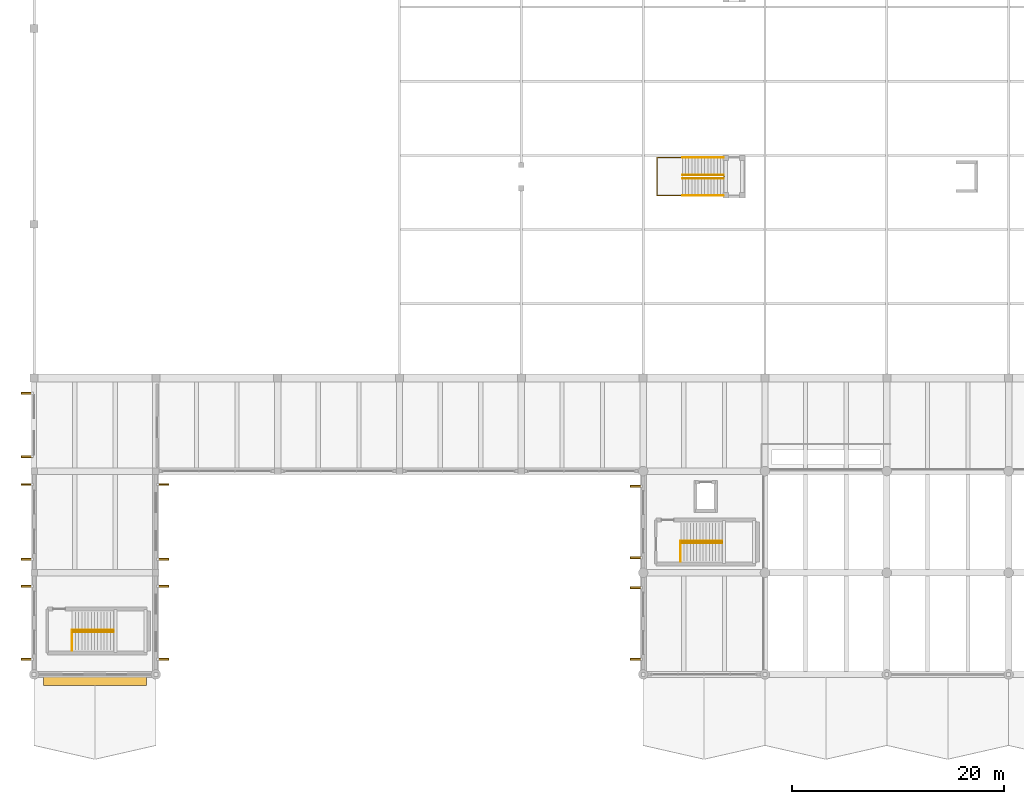
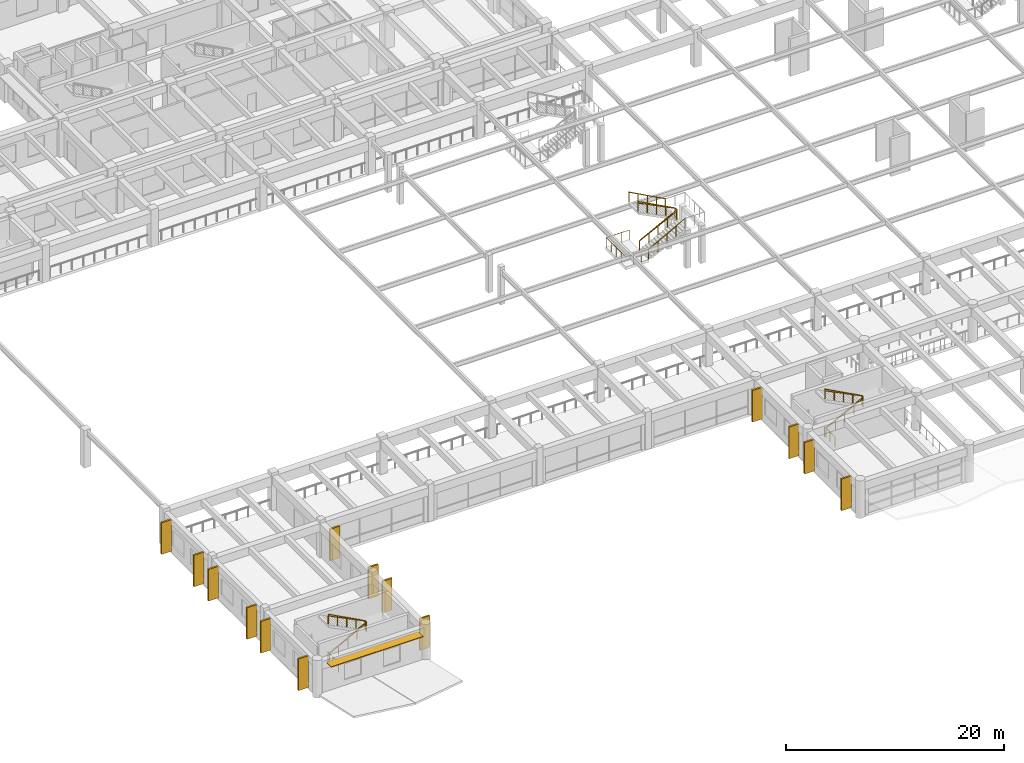
# One storey, part 89 of 98: 15 shading devices, 14 railings.
"""IFC4 building model written with IfcOpenShell, lengths in metres."""

from ifc_helpers import new_model, si_unit, direction, frame, origin, origin_2d, place, context, subcontext, project, spatial, rectangle, circle, extrude, material, layer, layer_set, type_object, element, save


model = new_model("IFC4")

# Units and contexts
model_context = context("Model", 3, precision=1e-05, world=origin(), true_north=direction((0.0, 1.0)))
body_context = subcontext(model_context, "Body", "Model", "MODEL_VIEW")
ifc_project = project(units=[si_unit("LENGTHUNIT", "METRE"), si_unit("AREAUNIT", "SQUARE_METRE"), si_unit("VOLUMEUNIT", "CUBIC_METRE"), si_unit("PLANEANGLEUNIT", "RADIAN"), si_unit("MASSUNIT", "GRAM", prefix="KILO")], contexts=[model_context])

# Site, building, storey
site_placement = place(None, origin())
site = spatial("IfcSite", under=ifc_project, at=site_placement, CompositionType="ELEMENT")
building_placement = place(site_placement, origin())
building = spatial("IfcBuilding", under=site, at=building_placement, Name="Ologun Quay Terminus", CompositionType="ELEMENT")
storey_placement = place(building_placement, frame((0.0, 0.0, 4.199951171875)))
storey = spatial("IfcBuildingStorey", under=building, at=storey_placement, Name="L01", CompositionType="ELEMENT", Elevation=4.199951171875)

# Shading devices
ifc_material_1 = material(Name="Aluminium 6063-T6", Category="aluminium")
ifc_layer_1 = layer(ifc_material_1, 0.080078125)
ifc_layer_set_1 = layer_set([ifc_layer_1], Name="Aluminium 6063-T6")
shading_device_type_1 = type_object("IfcShadingDeviceType", Name="Horizontal Extruded Aluminium Sun Louvre 900", PredefinedType="JALOUSIE", material=ifc_layer_set_1)
shading_device_placement = place(storey_placement, frame((5.75, 7.39990234375, 3.449951171875), z_axis=(0.0, 0.0, 1.0), x_axis=(1.0, 0.0, 0.0)))
element("IfcShadingDevice", 1, at=shading_device_placement, inside=storey, type_object=shading_device_type_1, Name="SD-01 Sun-Hood WEW-SA-L01-1-1", PredefinedType="JALOUSIE", context=body_context, shape_type="SweptSolid", body=[
    extrude(rectangle(XDim=9.760009765625, YDim=0.89990234375, at=origin_2d()), origin(), (0.0, 0.0, 1.0), 0.080078125),
])
ifc_material_2 = material(Name="Concrete C40/50", Category="concrete")
ifc_layer_2 = layer(ifc_material_2, 0.179931640625)
ifc_layer_set_2 = layer_set([ifc_layer_2], Name="Concrete C40/50")
shading_device_type_2 = type_object("IfcShadingDeviceType", Name="Sculpted Concrete Vertical Solar Fin 1050x180", PredefinedType="USERDEFINED", material=ifc_layer_set_2)
for number, where, z_axis, x_axis, name in (
    (2, (12.175048828125, 9.419921875, 0.150146484375), (0.0, 0.0, 1.0), (1.0, 0.0, 0.0), "SD-04 Vertical Solar Fin WEW-SA-L01-1-2-1"),
    (3, (12.175048828125, 16.330078125, 0.150146484375), (0.0, 0.0, 1.0), (1.0, 0.0, 0.0), "SD-04 Vertical Solar Fin WEW-SA-L01-1-2-2"),
    (4, (12.175048828125, 18.8701171875, 0.150146484375), (0.0, 0.0, 1.0), (1.0, 0.0, 0.0), "SD-04 Vertical Solar Fin WEW-SA-L01-1-3-1"),
    (5, (12.175048828125, 25.929931640625, 0.150146484375), (0.0, 0.0, 1.0), (1.0, 0.0, 0.0), "SD-04 Vertical Solar Fin WEW-SA-L01-1-3-2"),
    (6, (-0.675048828125, 9.419921875, 0.150146484375), (0.0, 0.0, 1.0), (1.0, 0.0, 0.0), "SD-04 Vertical Solar Fin WEW-SA-L01-1-14-1"),
    (7, (-0.675048828125, 16.330078125, 0.150146484375), (0.0, 0.0, 1.0), (1.0, 0.0, 0.0), "SD-04 Vertical Solar Fin WEW-SA-L01-1-14-2"),
    (8, (-0.675048828125, 18.8701171875, 0.150146484375), (0.0, 0.0, 1.0), (1.0, 0.0, 0.0), "SD-04 Vertical Solar Fin WEW-SA-L01-1-15-1"),
    (9, (-0.675048828125, 25.929931640625, 0.150146484375), (0.0, 0.0, 1.0), (1.0, 0.0, 0.0), "SD-04 Vertical Solar Fin WEW-SA-L01-1-15-2"),
    (10, (-0.675048828125, 28.570068359375, 0.150146484375), (0.0, 0.0, 1.0), (1.0, 0.0, 0.0), "SD-04 Vertical Solar Fin WEW-SA-L01-1-16-1"),
    (11, (-0.675048828125, 34.554931640625, 0.150146484375), (0.0, 0.0, 1.0), (1.0, 0.0, 0.0), "SD-04 Vertical Solar Fin WEW-SA-L01-1-16-2"),
    (12, (56.824951171875, 9.419921875, 0.150146484375), (0.0, 0.0, 1.0), (1.0, 0.0, 0.0), "SD-04 Vertical Solar Fin WEW-SA-L01-2-20-1"),
    (13, (56.824951171875, 16.179931640625, 0.150146484375), (0.0, 0.0, 1.0), (1.0, 0.0, 0.0), "SD-04 Vertical Solar Fin WEW-SA-L01-2-20-2"),
    (14, (56.824951171875, 19.02001953125, 0.150146484375), (0.0, 0.0, 1.0), (1.0, 0.0, 0.0), "SD-04 Vertical Solar Fin WEW-SA-L01-2-21-1"),
    (15, (56.824951171875, 25.780029296875, 0.150146484375), (0.0, 0.0, 1.0), (1.0, 0.0, 0.0), "SD-04 Vertical Solar Fin WEW-SA-L01-2-21-2"),
):
    element("IfcShadingDevice", number, at=place(storey_placement, frame(where, z_axis=z_axis, x_axis=x_axis)), inside=storey, type_object=shading_device_type_2, Name=name, ObjectType="SOLAR FIN", PredefinedType="USERDEFINED", context=body_context, shape_type="SweptSolid", body=[
        extrude(rectangle(XDim=1.050048828125, YDim=0.179931640625, at=origin_2d()), origin(), (0.0, 0.0, 1.0), 3.5400390625),
    ])

# Railings
ifc_material_3 = material(Name="Steel S355", Category="steel")
railing_type_1 = type_object("IfcRailingType", Name="Stair & Landing Steel Guardrail 1100", PredefinedType="GUARDRAIL", material=ifc_material_3)
railing_1_placement = place(storey_placement, frame((3.56005859375, 12.18994140625, 0.0)))
element("IfcRailing", 16, at=railing_1_placement, inside=storey, type_object=railing_type_1, Name="GR-ST Stair Floor Edge Guard ST-S1 L01", PredefinedType="GUARDRAIL", context=body_context, shape_type="SweptSolid", body=[
    extrude(circle(Radius=0.02392578125, at=origin_2d()), frame((0.0, 0.0, 1.076171875), z_axis=(0.0, -1.0, 0.0), x_axis=(1.0, 0.0, 0.0)), (0.0, 0.0, 1.0), 1.929931640625),
    extrude(circle(Radius=0.02099609375, at=origin_2d()), origin(), (0.0, 0.0, 1.0), 1.052001953125),
    extrude(circle(Radius=0.02099609375, at=origin_2d()), frame((0.0, -0.96484375, 0.0)), (0.0, 0.0, 1.0), 1.052001953125),
    extrude(circle(Radius=0.02099609375, at=origin_2d()), frame((0.0, -1.929931640625, 0.0)), (0.0, 0.0, 1.0), 1.052001953125),
])
railing_2_placement = place(storey_placement, frame((3.60009765625, 12.0, 0.0)))
element("IfcRailing", 17, at=railing_2_placement, inside=storey, type_object=railing_type_1, Name="GR-ST Stair Inner Well Guard ST-S1 L01", PredefinedType="GUARDRAIL", context=body_context, shape_type="SweptSolid", body=[
    extrude(circle(Radius=0.02392578125, at=origin_2d()), frame((0.0, 0.0, 1.076171875), z_axis=(0.881967403671, 0.0, 0.471310406062), x_axis=(0.0, 1.0, 0.0)), (0.0, 0.0, 1.0), 4.455810546875),
    extrude(circle(Radius=0.02392578125, at=origin_2d()), frame((3.929931640625, 0.0, 3.17626953125), z_axis=(0.0, 1.0, 0.0), x_axis=(-1.0, 0.0, 0.0)), (0.0, 0.0, 1.0), 0.199951171875),
    extrude(circle(Radius=0.02392578125, at=origin_2d()), frame((3.929931640625, 0.199951171875, 3.17626953125), z_axis=(-0.881990178689, 0.0, 0.471267784488), x_axis=(0.0, -1.0, 0.0)), (0.0, 0.0, 1.0), 4.455810546875),
    extrude(circle(Radius=0.02099609375, at=origin_2d()), origin(), (0.0, 0.0, 1.0), 1.052001953125),
    extrude(circle(Radius=0.02099609375, at=origin_2d()), frame((0.982421875, 0.0, 0.52490234375)), (0.0, 0.0, 1.0), 1.052001953125),
    extrude(circle(Radius=0.02099609375, at=origin_2d()), frame((1.96484375, 0.0, 1.050048828125)), (0.0, 0.0, 1.0), 1.052001953125),
    extrude(circle(Radius=0.02099609375, at=origin_2d()), frame((2.947509765625, 0.0, 1.5751953125)), (0.0, 0.0, 1.0), 1.052001953125),
    extrude(circle(Radius=0.02099609375, at=origin_2d()), frame((3.929931640625, 0.0, 2.10009765625)), (0.0, 0.0, 1.0), 1.052001953125),
    extrude(circle(Radius=0.02099609375, at=origin_2d()), frame((3.929931640625, 0.199951171875, 2.10009765625)), (0.0, 0.0, 1.0), 1.052001953125),
    extrude(circle(Radius=0.02099609375, at=origin_2d()), frame((2.947509765625, 0.199951171875, 2.625)), (0.0, 0.0, 1.0), 1.052001953125),
    extrude(circle(Radius=0.02099609375, at=origin_2d()), frame((1.96484375, 0.199951171875, 3.14990234375)), (0.0, 0.0, 1.0), 1.052001953125),
    extrude(circle(Radius=0.02099609375, at=origin_2d()), frame((0.982421875, 0.199951171875, 3.675048828125)), (0.0, 0.0, 1.0), 1.052001953125),
    extrude(circle(Radius=0.02099609375, at=origin_2d()), frame((0.0, 0.199951171875, 4.199951171875)), (0.0, 0.0, 1.0), 1.052001953125),
])
railing_3_placement = place(storey_placement, frame((61.010009765625, 20.590087890625, 0.0)))
element("IfcRailing", 18, at=railing_3_placement, inside=storey, type_object=railing_type_1, Name="GR-ST Stair Floor Edge Guard ST-S3 L01", PredefinedType="GUARDRAIL", context=body_context, shape_type="SweptSolid", body=[
    extrude(circle(Radius=0.02392578125, at=origin_2d()), frame((0.0, 0.0, 1.076171875), z_axis=(0.0, -1.0, 0.0), x_axis=(1.0, 0.0, 0.0)), (0.0, 0.0, 1.0), 1.93017578125),
    extrude(circle(Radius=0.02099609375, at=origin_2d()), origin(), (0.0, 0.0, 1.0), 1.052001953125),
    extrude(circle(Radius=0.02099609375, at=origin_2d()), frame((0.0, -0.965087890625, 0.0)), (0.0, 0.0, 1.0), 1.052001953125),
    extrude(circle(Radius=0.02099609375, at=origin_2d()), frame((0.0, -1.93017578125, 0.0)), (0.0, 0.0, 1.0), 1.052001953125),
])
railing_4_placement = place(storey_placement, frame((61.050048828125, 20.39990234375, 0.0)))
element("IfcRailing", 19, at=railing_4_placement, inside=storey, type_object=railing_type_1, Name="GR-ST Stair Inner Well Guard ST-S3 L01", PredefinedType="GUARDRAIL", context=body_context, shape_type="SweptSolid", body=[
    extrude(circle(Radius=0.02392578125, at=origin_2d()), frame((0.0, 0.0, 1.076171875), z_axis=(0.881967403671, 0.0, 0.471310406062), x_axis=(0.0, 1.0, 0.0)), (0.0, 0.0, 1.0), 4.455810546875),
    extrude(circle(Radius=0.02392578125, at=origin_2d()), frame((3.929931640625, 0.0, 3.17626953125), z_axis=(0.0, 1.0, 0.0), x_axis=(-1.0, 0.0, 0.0)), (0.0, 0.0, 1.0), 0.2001953125),
    extrude(circle(Radius=0.02392578125, at=origin_2d()), frame((3.929931640625, 0.2001953125, 3.17626953125), z_axis=(-0.881990178689, 0.0, 0.471267784488), x_axis=(0.0, -1.0, 0.0)), (0.0, 0.0, 1.0), 4.455810546875),
    extrude(circle(Radius=0.02099609375, at=origin_2d()), origin(), (0.0, 0.0, 1.0), 1.052001953125),
    extrude(circle(Radius=0.02099609375, at=origin_2d()), frame((0.982421875, 0.0, 0.52490234375)), (0.0, 0.0, 1.0), 1.052001953125),
    extrude(circle(Radius=0.02099609375, at=origin_2d()), frame((1.96484375, 0.0, 1.050048828125)), (0.0, 0.0, 1.0), 1.052001953125),
    extrude(circle(Radius=0.02099609375, at=origin_2d()), frame((2.947509765625, 0.0, 1.5751953125)), (0.0, 0.0, 1.0), 1.052001953125),
    extrude(circle(Radius=0.02099609375, at=origin_2d()), frame((3.929931640625, 0.0, 2.10009765625)), (0.0, 0.0, 1.0), 1.052001953125),
    extrude(circle(Radius=0.02099609375, at=origin_2d()), frame((3.929931640625, 0.2001953125, 2.10009765625)), (0.0, 0.0, 1.0), 1.052001953125),
    extrude(circle(Radius=0.02099609375, at=origin_2d()), frame((2.947509765625, 0.2001953125, 2.625)), (0.0, 0.0, 1.0), 1.052001953125),
    extrude(circle(Radius=0.02099609375, at=origin_2d()), frame((1.96484375, 0.2001953125, 3.14990234375)), (0.0, 0.0, 1.0), 1.052001953125),
    extrude(circle(Radius=0.02099609375, at=origin_2d()), frame((0.982421875, 0.2001953125, 3.675048828125)), (0.0, 0.0, 1.0), 1.052001953125),
    extrude(circle(Radius=0.02099609375, at=origin_2d()), frame((0.0, 0.2001953125, 4.199951171875)), (0.0, 0.0, 1.0), 1.052001953125),
])
railing_5_placement = place(storey_placement, frame((61.199951171875, 54.85009765625, 0.0)))
element("IfcRailing", 20, at=railing_5_placement, inside=storey, type_object=railing_type_1, Name="GR-ST Stair Inner Well Guard ST-P1U L01", PredefinedType="GUARDRAIL", context=body_context, shape_type="SweptSolid", body=[
    extrude(circle(Radius=0.02392578125, at=origin_2d()), frame((0.0, 0.0, 1.076171875), z_axis=(0.881967403671, 0.0, 0.471310406062), x_axis=(0.0, 1.0, 0.0)), (0.0, 0.0, 1.0), 4.455810546875),
    extrude(circle(Radius=0.02392578125, at=origin_2d()), frame((3.929931640625, 0.0, 3.17626953125), z_axis=(0.0, 1.0, 0.0), x_axis=(-1.0, 0.0, 0.0)), (0.0, 0.0, 1.0), 0.2998046875),
    extrude(circle(Radius=0.02392578125, at=origin_2d()), frame((3.929931640625, 0.2998046875, 3.17626953125), z_axis=(-0.881990178689, 0.0, 0.471267784488), x_axis=(0.0, -1.0, 0.0)), (0.0, 0.0, 1.0), 4.455810546875),
    extrude(circle(Radius=0.02099609375, at=origin_2d()), origin(), (0.0, 0.0, 1.0), 1.052001953125),
    extrude(circle(Radius=0.02099609375, at=origin_2d()), frame((0.982421875, 0.0, 0.52490234375)), (0.0, 0.0, 1.0), 1.052001953125),
    extrude(circle(Radius=0.02099609375, at=origin_2d()), frame((1.96484375, 0.0, 1.050048828125)), (0.0, 0.0, 1.0), 1.052001953125),
    extrude(circle(Radius=0.02099609375, at=origin_2d()), frame((2.947509765625, 0.0, 1.5751953125)), (0.0, 0.0, 1.0), 1.052001953125),
    extrude(circle(Radius=0.02099609375, at=origin_2d()), frame((3.929931640625, 0.0, 2.10009765625)), (0.0, 0.0, 1.0), 1.052001953125),
    extrude(circle(Radius=0.02099609375, at=origin_2d()), frame((3.929931640625, 0.2998046875, 2.10009765625)), (0.0, 0.0, 1.0), 1.052001953125),
    extrude(circle(Radius=0.02099609375, at=origin_2d()), frame((2.947509765625, 0.2998046875, 2.625)), (0.0, 0.0, 1.0), 1.052001953125),
    extrude(circle(Radius=0.02099609375, at=origin_2d()), frame((1.96484375, 0.2998046875, 3.14990234375)), (0.0, 0.0, 1.0), 1.052001953125),
    extrude(circle(Radius=0.02099609375, at=origin_2d()), frame((0.982421875, 0.2998046875, 3.675048828125)), (0.0, 0.0, 1.0), 1.052001953125),
    extrude(circle(Radius=0.02099609375, at=origin_2d()), frame((0.0, 0.2998046875, 4.199951171875)), (0.0, 0.0, 1.0), 1.052001953125),
])
railing_6_placement = place(storey_placement, frame((61.219970703125, 53.199951171875, 0.0)))
element("IfcRailing", 21, at=railing_6_placement, inside=storey, type_object=railing_type_1, Name="GR-ST Platform Transfer Bridge Guard ST-P1 L01", PredefinedType="GUARDRAIL", context=body_context, shape_type="SweptSolid", body=[
    extrude(circle(Radius=0.02392578125, at=origin_2d()), frame((0.0, 0.0, 1.076171875), z_axis=(-1.0, 0.0, 0.0), x_axis=(0.0, -1.0, 0.0)), (0.0, 0.0, 1.0), 2.419921875),
    extrude(circle(Radius=0.02392578125, at=origin_2d()), frame((-2.419921875, 0.0, 1.076171875), z_axis=(0.0, 1.0, 0.0), x_axis=(-1.0, 0.0, 0.0)), (0.0, 0.0, 1.0), 3.60009765625),
    extrude(circle(Radius=0.02392578125, at=origin_2d()), frame((-2.419921875, 3.60009765625, 1.076171875), z_axis=(1.0, 0.0, 0.0), x_axis=(0.0, 1.0, 0.0)), (0.0, 0.0, 1.0), 2.419921875),
    extrude(circle(Radius=0.02099609375, at=origin_2d()), origin(), (0.0, 0.0, 1.0), 1.052001953125),
    extrude(circle(Radius=0.02099609375, at=origin_2d()), frame((-0.806640625, 0.0, 0.0)), (0.0, 0.0, 1.0), 1.052001953125),
    extrude(circle(Radius=0.02099609375, at=origin_2d()), frame((-1.61328125, 0.0, 0.0)), (0.0, 0.0, 1.0), 1.052001953125),
    extrude(circle(Radius=0.02099609375, at=origin_2d()), frame((-2.419921875, 0.0, 0.0)), (0.0, 0.0, 1.0), 1.052001953125),
    extrude(circle(Radius=0.02099609375, at=origin_2d()), frame((-2.419921875, 0.89990234375, 0.0)), (0.0, 0.0, 1.0), 1.052001953125),
    extrude(circle(Radius=0.02099609375, at=origin_2d()), frame((-2.419921875, 1.800048828125, 0.0)), (0.0, 0.0, 1.0), 1.052001953125),
    extrude(circle(Radius=0.02099609375, at=origin_2d()), frame((-2.419921875, 2.7001953125, 0.0)), (0.0, 0.0, 1.0), 1.052001953125),
    extrude(circle(Radius=0.02099609375, at=origin_2d()), frame((-2.419921875, 3.60009765625, 0.0)), (0.0, 0.0, 1.0), 1.052001953125),
    extrude(circle(Radius=0.02099609375, at=origin_2d()), frame((-1.61328125, 3.60009765625, 0.0)), (0.0, 0.0, 1.0), 1.052001953125),
    extrude(circle(Radius=0.02099609375, at=origin_2d()), frame((-0.806640625, 3.60009765625, 0.0)), (0.0, 0.0, 1.0), 1.052001953125),
    extrude(circle(Radius=0.02099609375, at=origin_2d()), frame((0.0, 3.60009765625, 0.0)), (0.0, 0.0, 1.0), 1.052001953125),
])
ifc_material_4 = material(Name="Steel S355", Category="steel")
railing_type_2 = type_object("IfcRailingType", Name="Stair Stainless Tubular Handrail 920", PredefinedType="HANDRAIL", material=ifc_material_4)
railing_7_placement = place(storey_placement, frame((3.60009765625, 11.989990234375, 0.150146484375)))
element("IfcRailing", 22, at=railing_7_placement, inside=storey, type_object=railing_type_2, Name="HR-ST Handrail ST-S1-F1 L01", PredefinedType="HANDRAIL", context=body_context, shape_type="SweptSolid", body=[
    extrude(circle(Radius=0.02392578125, at=origin_2d()), frame((0.0, 0.0, 0.89599609375), z_axis=(0.894427191, 0.0, 0.4472135955), x_axis=(0.0, 1.0, 0.0)), (0.0, 0.0, 1.0), 4.360107421875),
    extrude(circle(Radius=0.02099609375, at=origin_2d()), origin(), (0.0, 0.0, 1.0), 0.871826171875),
    extrude(circle(Radius=0.02099609375, at=origin_2d()), frame((0.97509765625, 0.0, 0.487548828125)), (0.0, 0.0, 1.0), 0.871826171875),
    extrude(circle(Radius=0.02099609375, at=origin_2d()), frame((1.949951171875, 0.0, 0.97509765625)), (0.0, 0.0, 1.0), 0.871826171875),
    extrude(circle(Radius=0.02099609375, at=origin_2d()), frame((2.9248046875, 0.0, 1.46240234375)), (0.0, 0.0, 1.0), 0.871826171875),
    extrude(circle(Radius=0.02099609375, at=origin_2d()), frame((3.89990234375, 0.0, 1.949951171875)), (0.0, 0.0, 1.0), 0.871826171875),
])
railing_8_placement = place(storey_placement, frame((7.5, 12.2099609375, 2.25)))
element("IfcRailing", 23, at=railing_8_placement, inside=storey, type_object=railing_type_2, Name="HR-ST Handrail ST-S1-F2 L01", PredefinedType="HANDRAIL", context=body_context, shape_type="SweptSolid", body=[
    extrude(circle(Radius=0.02392578125, at=origin_2d()), frame((0.0, 0.0, 0.89599609375), z_axis=(-0.894427191, 0.0, 0.4472135955), x_axis=(0.0, -1.0, 0.0)), (0.0, 0.0, 1.0), 4.360107421875),
    extrude(circle(Radius=0.02099609375, at=origin_2d()), origin(), (0.0, 0.0, 1.0), 0.871826171875),
    extrude(circle(Radius=0.02099609375, at=origin_2d()), frame((-0.97509765625, 0.0, 0.487548828125)), (0.0, 0.0, 1.0), 0.871826171875),
    extrude(circle(Radius=0.02099609375, at=origin_2d()), frame((-1.949951171875, 0.0, 0.97509765625)), (0.0, 0.0, 1.0), 0.871826171875),
    extrude(circle(Radius=0.02099609375, at=origin_2d()), frame((-2.9248046875, 0.0, 1.46240234375)), (0.0, 0.0, 1.0), 0.871826171875),
    extrude(circle(Radius=0.02099609375, at=origin_2d()), frame((-3.89990234375, 0.0, 1.949951171875)), (0.0, 0.0, 1.0), 0.871826171875),
])
railing_9_placement = place(storey_placement, frame((61.050048828125, 20.389892578125, 0.150146484375)))
element("IfcRailing", 24, at=railing_9_placement, inside=storey, type_object=railing_type_2, Name="HR-ST Handrail ST-S3-F1 L01", PredefinedType="HANDRAIL", context=body_context, shape_type="SweptSolid", body=[
    extrude(circle(Radius=0.02392578125, at=origin_2d()), frame((0.0, 0.0, 0.89599609375), z_axis=(0.894427191, 0.0, 0.4472135955), x_axis=(0.0, 1.0, 0.0)), (0.0, 0.0, 1.0), 4.360107421875),
    extrude(circle(Radius=0.02099609375, at=origin_2d()), origin(), (0.0, 0.0, 1.0), 0.871826171875),
    extrude(circle(Radius=0.02099609375, at=origin_2d()), frame((0.97509765625, 0.0, 0.487548828125)), (0.0, 0.0, 1.0), 0.871826171875),
    extrude(circle(Radius=0.02099609375, at=origin_2d()), frame((1.949951171875, 0.0, 0.97509765625)), (0.0, 0.0, 1.0), 0.871826171875),
    extrude(circle(Radius=0.02099609375, at=origin_2d()), frame((2.9248046875, 0.0, 1.46240234375)), (0.0, 0.0, 1.0), 0.871826171875),
    extrude(circle(Radius=0.02099609375, at=origin_2d()), frame((3.89990234375, 0.0, 1.949951171875)), (0.0, 0.0, 1.0), 0.871826171875),
])
railing_10_placement = place(storey_placement, frame((64.949951171875, 20.610107421875, 2.25)))
element("IfcRailing", 25, at=railing_10_placement, inside=storey, type_object=railing_type_2, Name="HR-ST Handrail ST-S3-F2 L01", PredefinedType="HANDRAIL", context=body_context, shape_type="SweptSolid", body=[
    extrude(circle(Radius=0.02392578125, at=origin_2d()), frame((0.0, 0.0, 0.89599609375), z_axis=(-0.894427191, 0.0, 0.4472135955), x_axis=(0.0, -1.0, 0.0)), (0.0, 0.0, 1.0), 4.360107421875),
    extrude(circle(Radius=0.02099609375, at=origin_2d()), origin(), (0.0, 0.0, 1.0), 0.871826171875),
    extrude(circle(Radius=0.02099609375, at=origin_2d()), frame((-0.97509765625, 0.0, 0.487548828125)), (0.0, 0.0, 1.0), 0.871826171875),
    extrude(circle(Radius=0.02099609375, at=origin_2d()), frame((-1.949951171875, 0.0, 0.97509765625)), (0.0, 0.0, 1.0), 0.871826171875),
    extrude(circle(Radius=0.02099609375, at=origin_2d()), frame((-2.9248046875, 0.0, 1.46240234375)), (0.0, 0.0, 1.0), 0.871826171875),
    extrude(circle(Radius=0.02099609375, at=origin_2d()), frame((-3.89990234375, 0.0, 1.949951171875)), (0.0, 0.0, 1.0), 0.871826171875),
])
railing_11_placement = place(storey_placement, frame((61.199951171875, 54.840087890625, 0.150146484375)))
element("IfcRailing", 26, at=railing_11_placement, inside=storey, type_object=railing_type_2, Name="HR-ST Handrail ST-P1U-F1 L01", PredefinedType="HANDRAIL", context=body_context, shape_type="SweptSolid", body=[
    extrude(circle(Radius=0.02392578125, at=origin_2d()), frame((0.0, 0.0, 0.89599609375), z_axis=(0.894438388696, 0.0, 0.447191199406), x_axis=(0.0, 1.0, 0.0)), (0.0, 0.0, 1.0), 4.3603515625),
    extrude(circle(Radius=0.02099609375, at=origin_2d()), origin(), (0.0, 0.0, 1.0), 0.871826171875),
    extrude(circle(Radius=0.02099609375, at=origin_2d()), frame((0.97509765625, 0.0, 0.487548828125)), (0.0, 0.0, 1.0), 0.871826171875),
    extrude(circle(Radius=0.02099609375, at=origin_2d()), frame((1.9501953125, 0.0, 0.97509765625)), (0.0, 0.0, 1.0), 0.871826171875),
    extrude(circle(Radius=0.02099609375, at=origin_2d()), frame((2.925048828125, 0.0, 1.46240234375)), (0.0, 0.0, 1.0), 0.871826171875),
    extrude(circle(Radius=0.02099609375, at=origin_2d()), frame((3.900146484375, 0.0, 1.949951171875)), (0.0, 0.0, 1.0), 0.871826171875),
])
railing_12_placement = place(storey_placement, frame((65.10009765625, 55.159912109375, 2.25)))
element("IfcRailing", 27, at=railing_12_placement, inside=storey, type_object=railing_type_2, Name="HR-ST Handrail ST-P1U-F2 L01", PredefinedType="HANDRAIL", context=body_context, shape_type="SweptSolid", body=[
    extrude(circle(Radius=0.02392578125, at=origin_2d()), frame((0.0, 0.0, 0.89599609375), z_axis=(-0.894438388696, 0.0, 0.447191199406), x_axis=(0.0, -1.0, 0.0)), (0.0, 0.0, 1.0), 4.3603515625),
    extrude(circle(Radius=0.02099609375, at=origin_2d()), origin(), (0.0, 0.0, 1.0), 0.871826171875),
    extrude(circle(Radius=0.02099609375, at=origin_2d()), frame((-0.97509765625, 0.0, 0.487548828125)), (0.0, 0.0, 1.0), 0.871826171875),
    extrude(circle(Radius=0.02099609375, at=origin_2d()), frame((-1.9501953125, 0.0, 0.97509765625)), (0.0, 0.0, 1.0), 0.871826171875),
    extrude(circle(Radius=0.02099609375, at=origin_2d()), frame((-2.925048828125, 0.0, 1.46240234375)), (0.0, 0.0, 1.0), 0.871826171875),
    extrude(circle(Radius=0.02099609375, at=origin_2d()), frame((-3.900146484375, 0.0, 1.949951171875)), (0.0, 0.0, 1.0), 0.871826171875),
])
ifc_material_5 = material(Name="Steel S355", Category="steel")
railing_type_3 = type_object("IfcRailingType", Name="Terrace & Quay Perimeter Guardrail 1150", PredefinedType="GUARDRAIL", material=ifc_material_5)
railing_13_placement = place(storey_placement, frame((61.199951171875, 53.199951171875, 0.0)))
element("IfcRailing", 28, at=railing_13_placement, inside=storey, type_object=railing_type_3, Name="GR-TR Open Flight Outer Guard ST-P1U-S L01", PredefinedType="GUARDRAIL", context=body_context, shape_type="SweptSolid", body=[
    extrude(circle(Radius=0.02392578125, at=origin_2d()), frame((0.0, 0.0, 1.1259765625), z_axis=(0.878931799495, 0.0, 0.476947472827), x_axis=(0.0, 1.0, 0.0)), (0.0, 0.0, 1.0), 4.4033203125),
    extrude(circle(Radius=0.02099609375, at=origin_2d()), origin(), (0.0, 0.0, 1.0), 1.101806640625),
    extrude(circle(Radius=0.02099609375, at=origin_2d()), frame((0.967529296875, 0.0, 0.52490234375)), (0.0, 0.0, 1.0), 1.101806640625),
    extrude(circle(Radius=0.02099609375, at=origin_2d()), frame((1.93505859375, 0.0, 1.050048828125)), (0.0, 0.0, 1.0), 1.101806640625),
    extrude(circle(Radius=0.02099609375, at=origin_2d()), frame((2.902587890625, 0.0, 1.5751953125)), (0.0, 0.0, 1.0), 1.101806640625),
    extrude(circle(Radius=0.02099609375, at=origin_2d()), frame((3.8701171875, 0.0, 2.10009765625)), (0.0, 0.0, 1.0), 1.101806640625),
])
railing_14_placement = place(storey_placement, frame((61.199951171875, 56.800048828125, 4.199951171875)))
element("IfcRailing", 29, at=railing_14_placement, inside=storey, type_object=railing_type_3, Name="GR-TR Open Flight Outer Guard ST-P1U-N L01", PredefinedType="GUARDRAIL", context=body_context, shape_type="SweptSolid", body=[
    extrude(circle(Radius=0.02392578125, at=origin_2d()), frame((0.0, 0.0, 1.1259765625), z_axis=(0.878955042315, 0.0, -0.476904637835), x_axis=(0.0, 1.0, 0.0)), (0.0, 0.0, 1.0), 4.403076171875),
    extrude(circle(Radius=0.02099609375, at=origin_2d()), origin(), (0.0, 0.0, 1.0), 1.101806640625),
    extrude(circle(Radius=0.02099609375, at=origin_2d()), frame((0.967529296875, 0.0, -0.52490234375)), (0.0, 0.0, 1.0), 1.101806640625),
    extrude(circle(Radius=0.02099609375, at=origin_2d()), frame((1.93505859375, 0.0, -1.0498046875)), (0.0, 0.0, 1.0), 1.101806640625),
    extrude(circle(Radius=0.02099609375, at=origin_2d()), frame((2.902587890625, 0.0, -1.574951171875)), (0.0, 0.0, 1.0), 1.101806640625),
    extrude(circle(Radius=0.02099609375, at=origin_2d()), frame((3.8701171875, 0.0, -2.099853515625)), (0.0, 0.0, 1.0), 1.101806640625),
])

save(model, "model.ifc")
